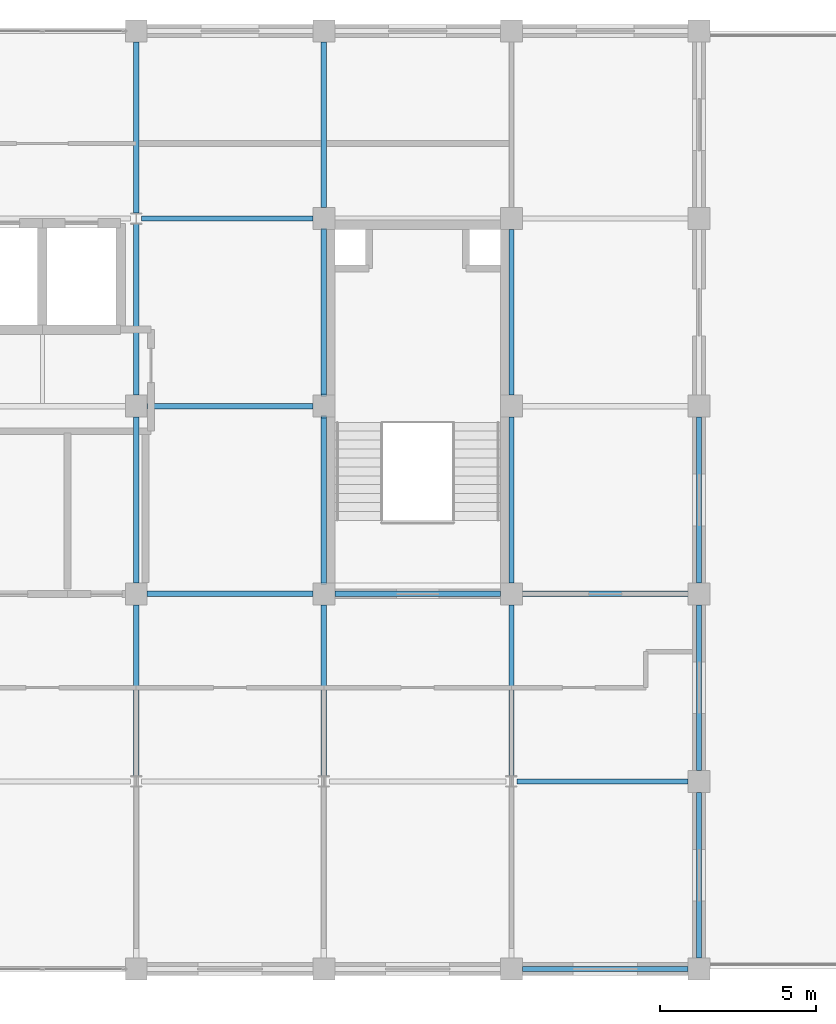
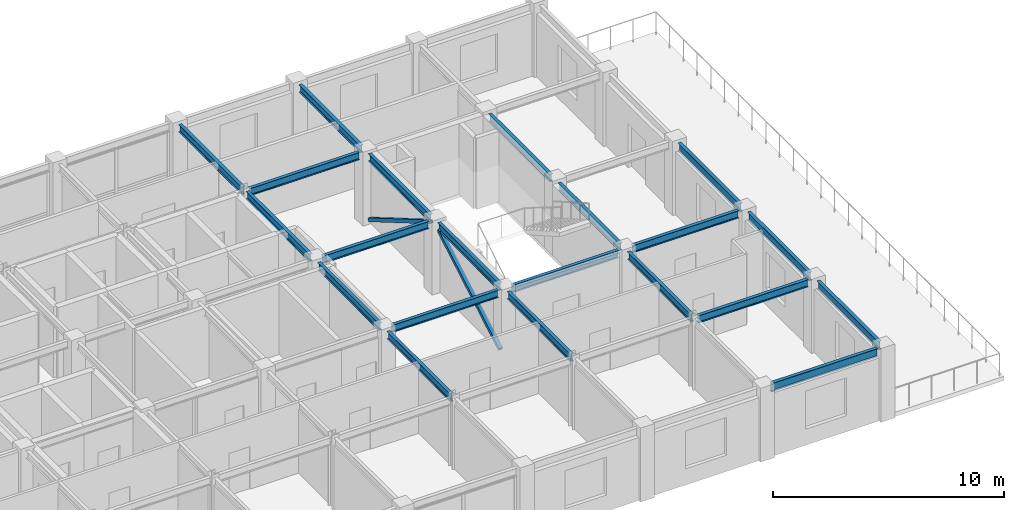
# One storey, part 9 of 15: 21 beams, 2 members.
"""IFC4 building model written with IfcOpenShell, lengths in metres."""

from ifc_helpers import new_model, si_unit, direction, frame, origin, origin_2d, place, context, subcontext, project, spatial, hollow_rectangle, i_section, extrude, material, material_profile, profile_set, type_object, element, save


model = new_model("IFC4")

# Units and contexts
model_context = context("Model", 3, precision=1e-05, world=origin(), true_north=direction((0.0, 1.0)))
body_context = subcontext(model_context, "Body", "Model", "MODEL_VIEW")
ifc_project = project(units=[si_unit("LENGTHUNIT", "METRE"), si_unit("AREAUNIT", "SQUARE_METRE"), si_unit("VOLUMEUNIT", "CUBIC_METRE"), si_unit("PLANEANGLEUNIT", "RADIAN"), si_unit("MASSUNIT", "GRAM", prefix="KILO")], contexts=[model_context])

# Site, building, storey
site_placement = place(None, origin())
site = spatial("IfcSite", under=ifc_project, at=site_placement, CompositionType="ELEMENT")
building_placement = place(site_placement, origin())
building = spatial("IfcBuilding", under=site, at=building_placement, Name="Zlatovratsky Civic Hall", CompositionType="ELEMENT")
storey_placement = place(building_placement, frame((0.0, 0.0, 36.60009765625)))
storey = spatial("IfcBuildingStorey", under=building, at=storey_placement, Name="L09", CompositionType="ELEMENT", Elevation=36.60009765625)

# Beams
ifc_material = material(Name="Steel S355", Category="steel")
ifc_material_profile_1 = material_profile(ifc_material, i_section(OverallWidth=0.169921875, OverallDepth=0.446044921875, WebThickness=0.007568359375, FlangeThickness=0.010986328125, FilletRadius=0.01611328125, at=origin_2d()), Name="45B1")
ifc_profile_set_1 = profile_set([ifc_material_profile_1], Name="Steel S355")
beam_type_1 = type_object("IfcBeamType", Name="Beam_Spandrel_45B1", PredefinedType="SPANDREL", material=ifc_profile_set_1)
for number, where, z_axis, x_axis, name in (
    (1, (102.35009765625, 72.0, 3.516845703125), (1.0, 0.0, 0.0), (0.0, 1.0, 0.0), "BM-4524"),
    (2, (108.0, 72.35009765625, 3.516845703125), (0.0, 1.0, 0.0), (-1.0, 0.0, 0.0), "BM-4603"),
    (3, (108.0, 78.35009765625, 3.516845703125), (0.0, 1.0, 0.0), (-1.0, 0.0, 0.0), "BM-4604"),
    (4, (108.0, 84.35009765625, 3.516845703125), (0.0, 1.0, 0.0), (-1.0, 0.0, 0.0), "BM-4605"),
):
    element("IfcBeam", number, at=place(storey_placement, frame(where, z_axis=z_axis, x_axis=x_axis)), inside=storey, type_object=beam_type_1, Name=name, PredefinedType="SPANDREL", context=body_context, shape_type="SweptSolid", body=[
        extrude(i_section(OverallWidth=0.169921875, OverallDepth=0.446044921875, WebThickness=0.007568359375, FlangeThickness=0.010986328125, FilletRadius=0.01611328125, at=origin_2d()), origin(), (0.0, 0.0, 1.0), 5.2998046875),
    ])
ifc_material_profile_2 = material_profile(ifc_material, i_section(OverallWidth=0.1650390625, OverallDepth=0.39208984375, WebThickness=0.006591796875, FlangeThickness=0.009521484375, FilletRadius=0.014892578125, at=origin_2d()), Name="40B1")
ifc_profile_set_2 = profile_set([ifc_material_profile_2], Name="Steel S355")
beam_type_2 = type_object("IfcBeamType", Name="Beam_Tie_40B1", PredefinedType="BEAM", material=ifc_profile_set_2)
beam_1_placement = place(storey_placement, frame((102.175048828125, 78.0, 3.5439453125), z_axis=(1.0, 0.0, 0.0), x_axis=(0.0, 1.0, 0.0)))
element("IfcBeam", 5, at=beam_1_placement, inside=storey, type_object=beam_type_2, Name="BM-4532", PredefinedType="BEAM", context=body_context, shape_type="SweptSolid", body=[
    extrude(i_section(OverallWidth=0.1650390625, OverallDepth=0.39208984375, WebThickness=0.006591796875, FlangeThickness=0.009521484375, FilletRadius=0.014892578125, at=origin_2d()), origin(), (0.0, 0.0, 1.0), 5.474853515625),
])
for number, where, z_axis, x_axis, name in (
    (6, (90.35009765625, 84.0, 3.5439453125), (1.0, 0.0, 0.0), (0.0, 1.0, 0.0), "BM-4538"),
    (7, (96.35009765625, 84.0, 3.5439453125), (1.0, 0.0, 0.0), (0.0, 1.0, 0.0), "BM-4539"),
    (8, (102.35009765625, 84.0, 3.5439453125), (1.0, 0.0, 0.0), (0.0, 1.0, 0.0), "BM-4540"),
    (9, (90.35009765625, 90.0, 3.5439453125), (1.0, 0.0, 0.0), (0.0, 1.0, 0.0), "BM-4545"),
):
    element("IfcBeam", number, at=place(storey_placement, frame(where, z_axis=z_axis, x_axis=x_axis)), inside=storey, type_object=beam_type_2, Name=name, PredefinedType="BEAM", context=body_context, shape_type="SweptSolid", body=[
        extrude(i_section(OverallWidth=0.1650390625, OverallDepth=0.39208984375, WebThickness=0.006591796875, FlangeThickness=0.009521484375, FilletRadius=0.014892578125, at=origin_2d()), origin(), (0.0, 0.0, 1.0), 5.2998046875),
    ])
for number, where, z_axis, x_axis, name in (
    (10, (90.175048828125, 96.0, 3.5439453125), (1.0, 0.0, 0.0), (0.0, 1.0, 0.0), "BM-4552"),
    (11, (90.0, 78.175048828125, 3.5439453125), (0.0, 1.0, 0.0), (-1.0, 0.0, 0.0), "BM-4589"),
):
    element("IfcBeam", number, at=place(storey_placement, frame(where, z_axis=z_axis, x_axis=x_axis)), inside=storey, type_object=beam_type_2, Name=name, PredefinedType="BEAM", context=body_context, shape_type="SweptSolid", body=[
        extrude(i_section(OverallWidth=0.1650390625, OverallDepth=0.39208984375, WebThickness=0.006591796875, FlangeThickness=0.009521484375, FilletRadius=0.014892578125, at=origin_2d()), origin(), (0.0, 0.0, 1.0), 5.474853515625),
    ])
beam_2_placement = place(storey_placement, frame((90.0, 84.35009765625, 3.5439453125), z_axis=(0.0, 1.0, 0.0), x_axis=(-1.0, 0.0, 0.0)))
element("IfcBeam", 12, at=beam_2_placement, inside=storey, type_object=beam_type_2, Name="BM-4590", PredefinedType="BEAM", context=body_context, shape_type="SweptSolid", body=[
    extrude(i_section(OverallWidth=0.1650390625, OverallDepth=0.39208984375, WebThickness=0.006591796875, FlangeThickness=0.009521484375, FilletRadius=0.014892578125, at=origin_2d()), origin(), (0.0, 0.0, 1.0), 5.2998046875),
])
for number, where, z_axis, x_axis, name in (
    (13, (90.0, 90.35009765625, 3.5439453125), (0.0, 1.0, 0.0), (-1.0, 0.0, 0.0), "BM-4591"),
    (14, (90.0, 96.175048828125, 3.5439453125), (0.0, 1.0, 0.0), (-1.0, 0.0, 0.0), "BM-4592"),
    (15, (96.0, 78.175048828125, 3.5439453125), (0.0, 1.0, 0.0), (-1.0, 0.0, 0.0), "BM-4594"),
):
    element("IfcBeam", number, at=place(storey_placement, frame(where, z_axis=z_axis, x_axis=x_axis)), inside=storey, type_object=beam_type_2, Name=name, PredefinedType="BEAM", context=body_context, shape_type="SweptSolid", body=[
        extrude(i_section(OverallWidth=0.1650390625, OverallDepth=0.39208984375, WebThickness=0.006591796875, FlangeThickness=0.009521484375, FilletRadius=0.014892578125, at=origin_2d()), origin(), (0.0, 0.0, 1.0), 5.474853515625),
    ])
for number, where, z_axis, x_axis, name in (
    (16, (96.0, 84.35009765625, 3.5439453125), (0.0, 1.0, 0.0), (-1.0, 0.0, 0.0), "BM-4595"),
    (17, (96.0, 90.35009765625, 3.5439453125), (0.0, 1.0, 0.0), (-1.0, 0.0, 0.0), "BM-4596"),
    (18, (96.0, 96.35009765625, 3.5439453125), (0.0, 1.0, 0.0), (-1.0, 0.0, 0.0), "BM-4597"),
):
    element("IfcBeam", number, at=place(storey_placement, frame(where, z_axis=z_axis, x_axis=x_axis)), inside=storey, type_object=beam_type_2, Name=name, PredefinedType="BEAM", context=body_context, shape_type="SweptSolid", body=[
        extrude(i_section(OverallWidth=0.1650390625, OverallDepth=0.39208984375, WebThickness=0.006591796875, FlangeThickness=0.009521484375, FilletRadius=0.014892578125, at=origin_2d()), origin(), (0.0, 0.0, 1.0), 5.2998046875),
    ])
beam_3_placement = place(storey_placement, frame((102.0, 78.175048828125, 3.5439453125), z_axis=(0.0, 1.0, 0.0), x_axis=(-1.0, 0.0, 0.0)))
element("IfcBeam", 19, at=beam_3_placement, inside=storey, type_object=beam_type_2, Name="BM-4599", PredefinedType="BEAM", context=body_context, shape_type="SweptSolid", body=[
    extrude(i_section(OverallWidth=0.1650390625, OverallDepth=0.39208984375, WebThickness=0.006591796875, FlangeThickness=0.009521484375, FilletRadius=0.014892578125, at=origin_2d()), origin(), (0.0, 0.0, 1.0), 5.474853515625),
])
for number, where, z_axis, x_axis, name in (
    (20, (102.0, 84.35009765625, 3.5439453125), (0.0, 1.0, 0.0), (-1.0, 0.0, 0.0), "BM-4600"),
    (21, (102.0, 90.35009765625, 3.5439453125), (0.0, 1.0, 0.0), (-1.0, 0.0, 0.0), "BM-4601"),
):
    element("IfcBeam", number, at=place(storey_placement, frame(where, z_axis=z_axis, x_axis=x_axis)), inside=storey, type_object=beam_type_2, Name=name, PredefinedType="BEAM", context=body_context, shape_type="SweptSolid", body=[
        extrude(i_section(OverallWidth=0.1650390625, OverallDepth=0.39208984375, WebThickness=0.006591796875, FlangeThickness=0.009521484375, FilletRadius=0.014892578125, at=origin_2d()), origin(), (0.0, 0.0, 1.0), 5.2998046875),
    ])

# Members
ifc_material_profile_3 = material_profile(ifc_material, hollow_rectangle(XDim=0.179931640625, YDim=0.179931640625, WallThickness=0.008056640625, at=origin_2d()), Name="SHS 180x180x8")
ifc_profile_set_3 = profile_set([ifc_material_profile_3], Name="Steel S355")
member_type = type_object("IfcMemberType", Name="Brace_TowerMid_SHS180", PredefinedType="BRACE", material=ifc_profile_set_3)
for number, where, z_axis, x_axis, name in (
    (22, (96.0, 84.35009765625, 0.25), (0.0, 0.863189891905, 0.504879401949), (-1.0, 0.0, 0.0), "MB-0142"),
    (23, (96.0, 90.35009765625, 3.349853515625), (0.0, 0.863189891905, -0.504879401949), (-1.0, 0.0, 0.0), "MB-0143"),
):
    element("IfcMember", number, at=place(storey_placement, frame(where, z_axis=z_axis, x_axis=x_axis)), inside=storey, type_object=member_type, Name=name, PredefinedType="BRACE", context=body_context, shape_type="SweptSolid", body=[
        extrude(hollow_rectangle(XDim=0.179931640625, YDim=0.179931640625, WallThickness=0.008056640625, at=origin_2d()), origin(), (0.0, 0.0, 1.0), 6.139892578125),
    ])

save(model, "model.ifc")
